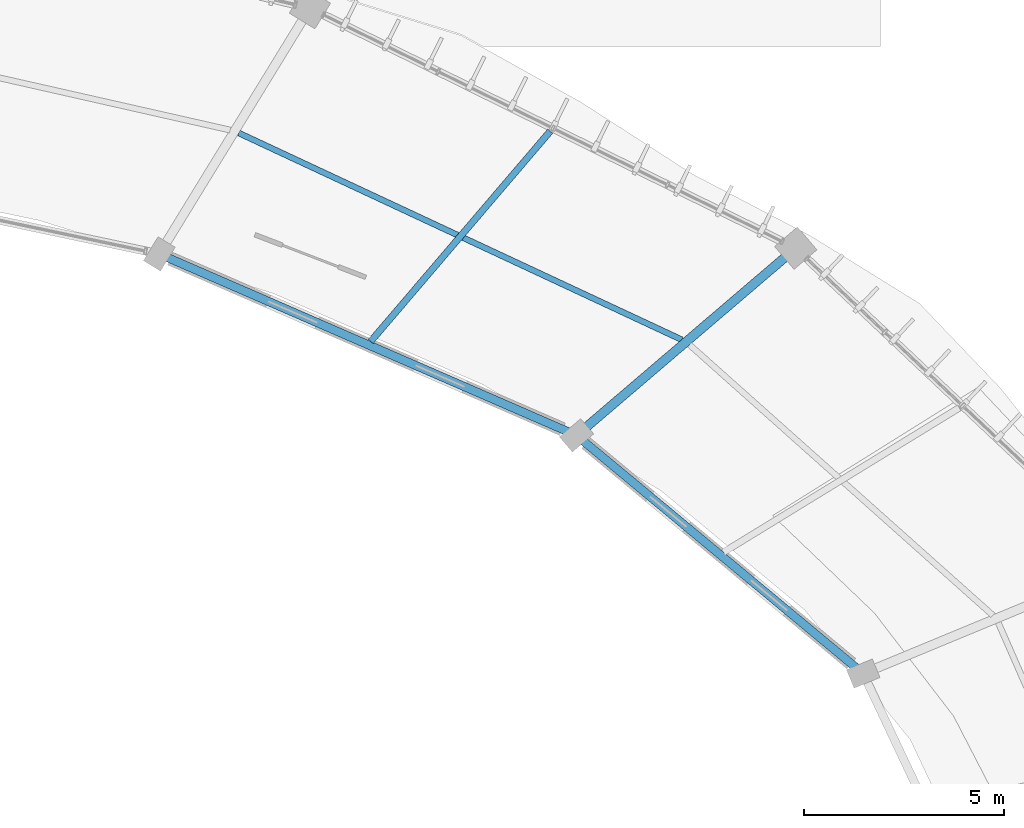
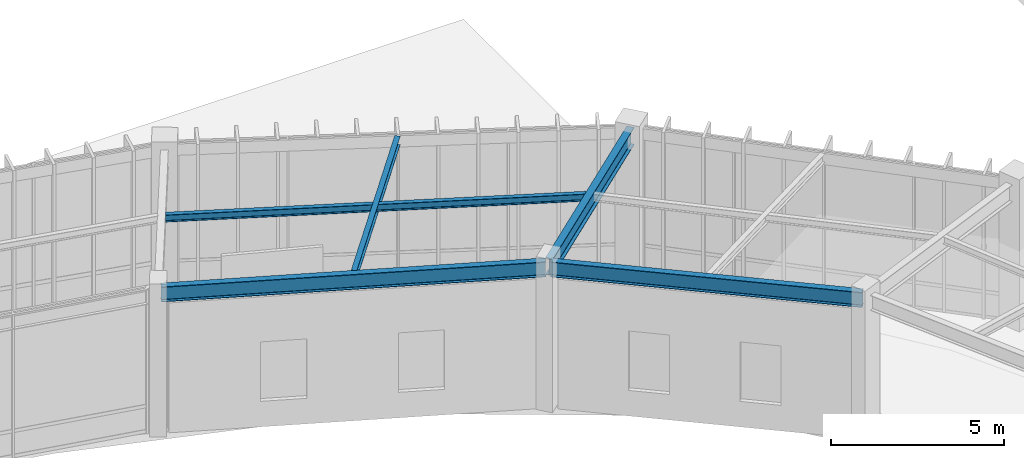
# One storey, part 78 of 157: 5 beams.
"""IFC4 building model written with IfcOpenShell, lengths in metres."""

from ifc_helpers import new_model, si_unit, direction, frame, origin, origin_2d, place, context, subcontext, project, spatial, i_section, extrude, material, material_profile, profile_set, type_object, element, save


model = new_model("IFC4")

# Units and contexts
model_context = context("Model", 3, precision=1e-05, world=origin(), true_north=direction((0.0, 1.0)))
body_context = subcontext(model_context, "Body", "Model", "MODEL_VIEW")
ifc_project = project(units=[si_unit("LENGTHUNIT", "METRE"), si_unit("AREAUNIT", "SQUARE_METRE"), si_unit("VOLUMEUNIT", "CUBIC_METRE"), si_unit("PLANEANGLEUNIT", "RADIAN"), si_unit("MASSUNIT", "GRAM", prefix="KILO"), si_unit("THERMODYNAMICTEMPERATUREUNIT", "KELVIN"), si_unit("POWERUNIT", "WATT")], contexts=[model_context])

# Site, building, storey
site_placement = place(None, origin())
site = spatial("IfcSite", under=ifc_project, at=site_placement, CompositionType="ELEMENT")
building_placement = place(site_placement, origin())
building = spatial("IfcBuilding", under=site, at=building_placement, Name="Darbajah Civic Hall", CompositionType="ELEMENT")
storey_placement = place(building_placement, origin())
storey = spatial("IfcBuildingStorey", under=building, at=storey_placement, Name="L00", CompositionType="ELEMENT", Elevation=0.0)

# Beams
ifc_material = material(Name="Steel S355JR", Category="steel")
ifc_material_profile_1 = material_profile(ifc_material, i_section(OverallWidth=0.146484375, OverallDepth=0.256103515625, WebThickness=0.00634765625, FlangeThickness=0.010986328125, FilletRadius=0.007568359375, at=origin_2d()), Name="UB 254x146x37")
ifc_profile_set_1 = profile_set([ifc_material_profile_1], Name="Steel S355JR")
beam_type_1 = type_object("IfcBeamType", Name="UB 254x146x37", PredefinedType="JOIST", material=ifc_profile_set_1)
beam_1_placement = place(storey_placement, frame((125.0380859375, 106.669921875, 4.991943359375), z_axis=(-0.906187225773, 0.422876709982, 0.0), x_axis=(-0.422876709982, -0.906187225773, 0.0)))
element("IfcBeam", 1, at=beam_1_placement, inside=storey, type_object=beam_type_1, Name="L00 beam SJ-254", PredefinedType="JOIST", context=body_context, shape_type="SweptSolid", body=[
    extrude(i_section(OverallWidth=0.146484375, OverallDepth=0.256103515625, WebThickness=0.00634765625, FlangeThickness=0.010986328125, FilletRadius=0.007568359375, at=origin_2d()), origin(), (0.0, 0.0, 1.0), 12.21240234375),
])
ifc_material_profile_2 = material_profile(ifc_material, i_section(OverallWidth=0.165771484375, OverallDepth=0.306640625, WebThickness=0.006591796875, FlangeThickness=0.01171875, FilletRadius=0.0087890625, at=origin_2d()), Name="UB 305x165x46")
ifc_profile_set_2 = profile_set([ifc_material_profile_2], Name="Steel S355JR")
beam_type_2 = type_object("IfcBeamType", Name="UB 305x165x46", PredefinedType="JOIST", material=ifc_profile_set_2)
beam_2_placement = place(storey_placement, frame((117.264404296875, 106.62890625, 4.966796875), z_axis=(0.649456456581, 0.760398784195, 0.0), x_axis=(-0.760398784195, 0.649456456581, 0.0)))
element("IfcBeam", 2, at=beam_2_placement, inside=storey, type_object=beam_type_2, Name="L00 beam SJ-305", PredefinedType="JOIST", context=body_context, shape_type="SweptSolid", body=[
    extrude(i_section(OverallWidth=0.165771484375, OverallDepth=0.306640625, WebThickness=0.006591796875, FlangeThickness=0.01171875, FilletRadius=0.0087890625, at=origin_2d()), origin(), (0.0, 0.0, 1.0), 6.9033203125),
])
ifc_material_profile_3 = material_profile(ifc_material, i_section(OverallWidth=0.209228515625, OverallDepth=0.533203125, WebThickness=0.010009765625, FlangeThickness=0.015625, FilletRadius=0.0126953125, at=origin_2d()), Name="UB 533x210x92")
ifc_profile_set_3 = profile_set([ifc_material_profile_3], Name="Steel S355JR")
beam_type_3 = type_object("IfcBeamType", Name="UB 533x210x92", PredefinedType="BEAM", material=ifc_profile_set_3)
beam_3_placement = place(storey_placement, frame((129.50439453125, 98.385009765625, 4.853515625), z_axis=(-0.769165350471, 0.63904981311, 0.0), x_axis=(-0.63904981311, -0.769165350471, 0.0)))
element("IfcBeam", 3, at=beam_3_placement, inside=storey, type_object=beam_type_3, Name="L00 beam SB-533", PredefinedType="BEAM", context=body_context, shape_type="SweptSolid", body=[
    extrude(i_section(OverallWidth=0.209228515625, OverallDepth=0.533203125, WebThickness=0.010009765625, FlangeThickness=0.015625, FilletRadius=0.0126953125, at=origin_2d()), origin(), (0.0, 0.0, 1.0), 9.14892578125),
])
beam_4_placement = place(storey_placement, frame((122.33251953125, 104.314697265625, 4.853515625), z_axis=(-0.91705481115, 0.398761173319, 0.0), x_axis=(-0.398761173319, -0.91705481115, 0.0)))
element("IfcBeam", 4, at=beam_4_placement, inside=storey, type_object=beam_type_3, Name="L00 beam SB-533", PredefinedType="BEAM", context=body_context, shape_type="SweptSolid", body=[
    extrude(i_section(OverallWidth=0.209228515625, OverallDepth=0.533203125, WebThickness=0.010009765625, FlangeThickness=0.015625, FilletRadius=0.0126953125, at=origin_2d()), origin(), (0.0, 0.0, 1.0), 11.202880859375),
])
ifc_material_profile_4 = material_profile(ifc_material, i_section(OverallWidth=0.228271484375, OverallDepth=0.607666015625, WebThickness=0.010986328125, FlangeThickness=0.017333984375, FilletRadius=0.0126953125, at=origin_2d()), Name="UB 610x229x113")
ifc_profile_set_4 = profile_set([ifc_material_profile_4], Name="Steel S355JR")
beam_type_4 = type_object("IfcBeamType", Name="UB 610x229x113", PredefinedType="BEAM", material=ifc_profile_set_4)
beam_5_placement = place(storey_placement, frame((122.466552734375, 104.334716796875, 4.816162109375), z_axis=(0.760413281686, 0.649439482197, 0.0), x_axis=(-0.649439482197, 0.760413281686, 0.0)))
element("IfcBeam", 5, at=beam_5_placement, inside=storey, type_object=beam_type_4, Name="L00 beam SB-610", PredefinedType="BEAM", context=body_context, shape_type="SweptSolid", body=[
    extrude(i_section(OverallWidth=0.228271484375, OverallDepth=0.607666015625, WebThickness=0.010986328125, FlangeThickness=0.017333984375, FilletRadius=0.0126953125, at=origin_2d()), origin(), (0.0, 0.0, 1.0), 7.0400390625),
])

save(model, "model.ifc")
